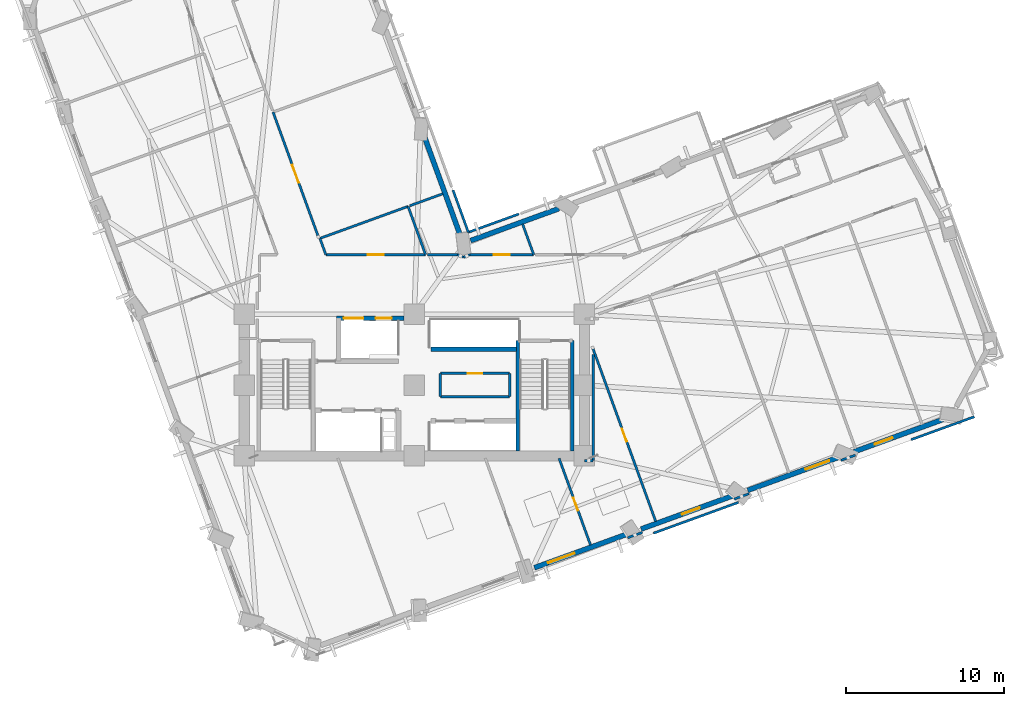
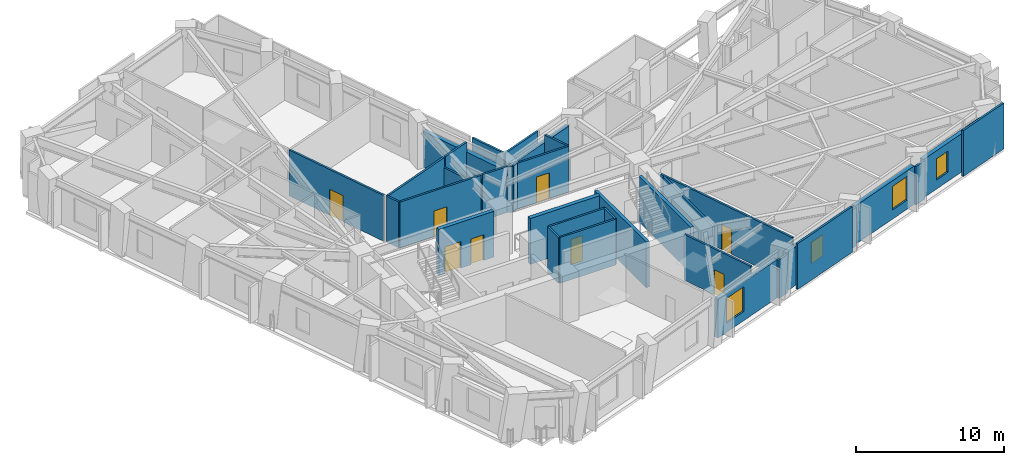
# One storey, part 10 of 17: 36 walls, 8 doors, 4 windows, 12 openings.
"""IFC4 building model written with IfcOpenShell, lengths in metres."""

from ifc_helpers import new_model, si_unit, direction, frame, frame_2d, origin, place, context, subcontext, project, spatial, rectangle, extrude, material, layer, layer_set, type_object, element, fill, save


model = new_model("IFC4")

# Units and contexts
model_context = context("Model", 3, precision=1e-05, world=origin(), true_north=direction((0.0, 1.0)))
body_context = subcontext(model_context, "Body", "Model", "MODEL_VIEW")
ifc_project = project(units=[si_unit("LENGTHUNIT", "METRE"), si_unit("AREAUNIT", "SQUARE_METRE"), si_unit("VOLUMEUNIT", "CUBIC_METRE"), si_unit("PLANEANGLEUNIT", "RADIAN"), si_unit("MASSUNIT", "GRAM", prefix="KILO")], contexts=[model_context])

# Site, building, storey
site_placement = place(None, origin())
site = spatial("IfcSite", under=ifc_project, at=site_placement, CompositionType="ELEMENT")
building_placement = place(site_placement, origin())
building = spatial("IfcBuilding", under=site, at=building_placement, Name="Gaonmaruhae Medical Tower", CompositionType="ELEMENT")
storey_placement = place(building_placement, frame((0.0, 0.0, 108.39990234375)))
storey = spatial("IfcBuildingStorey", under=building, at=storey_placement, Name="L25", CompositionType="ELEMENT", Elevation=108.39990234375)

# Wall, opening, window
ifc_material_1 = material(Name="Precast concrete C45/55", Category="concrete")
ifc_layer_1 = layer(ifc_material_1, 0.320068359375)
ifc_layer_set_1 = layer_set([ifc_layer_1], Name="Precast concrete C45/55")
wall_type_1 = type_object("IfcWallType", Name="EW-320 Lower Precast Masonry-Frame Facade Wall", PredefinedType="SOLIDWALL", material=ifc_layer_set_1)
wall_1_placement = place(storey_placement, frame((38.267333984375, 2.82373046875, 0.0), z_axis=(0.0, 0.0, 1.0), x_axis=(-0.939987127701, -0.341209905713, 0.0)))
wall_1 = element("IfcWall", 1, at=wall_1_placement, inside=storey, type_object=wall_type_1, Name="L25 Precast Masonry-Frame Wall S03-S04", PredefinedType="SOLIDWALL", context=body_context, shape_type="SweptSolid", body=[
    extrude(rectangle(XDim=6.21435546875, YDim=0.320068359375, at=frame_2d((3.107177734375, 0.0))), origin(), (0.0, 0.0, 1.0), 3.1650390625),
])
opening_1_placement = place(wall_1_placement, frame((3.497314453125, 0.0, 0.75)))
opening_1 = element("IfcOpeningElement", 2, at=opening_1_placement, cuts=wall_1, Name="Opening WN-04", PredefinedType="OPENING", context=body_context, shape_type="SweptSolid", body=[
    extrude(rectangle(XDim=1.800048828125, YDim=2.050048828125, at=frame_2d((0.89990234375, 1.02490234375))), frame((0.0, 0.169921875, 0.0), z_axis=(0.0, -1.0, 0.0), x_axis=(1.0, 0.0, 0.0)), (0.0, 0.0, 1.0), 0.340087890625),
])
ifc_material_2 = material(Name="Anodised aluminium and Low-E double glazing", Category="aluminium")
window_type_1 = type_object("IfcWindowType", Name="WN-04 Clinic & Consult Punched Window 1800x2050", PartitioningType="SINGLE_PANEL", PredefinedType="WINDOW", material=ifc_material_2)
window_1_placement = place(opening_1_placement, origin())
window_1 = element("IfcWindow", 3, at=window_1_placement, inside=storey, type_object=window_type_1, Name="L25 Modular Facade Window S03", OverallHeight=2.050048828125, OverallWidth=1.800048828125, PartitioningType="SINGLE_PANEL", PredefinedType="WINDOW", context=body_context, shape_type="SweptSolid", body=[
    extrude(rectangle(XDim=1.800048828125, YDim=2.050048828125, at=frame_2d((0.89990234375, 1.02490234375))), frame((0.0, 0.030029296875, 0.0), z_axis=(0.0, -1.0, 0.0), x_axis=(1.0, 0.0, 0.0)), (0.0, 0.0, 1.0), 0.06005859375),
])
fill(opening_1, window_1)

wall_2_placement = place(storey_placement, frame((45.03564453125, 5.280517578125, 0.0), z_axis=(0.0, 0.0, 1.0), x_axis=(-0.93999646123, -0.341184192006, 0.0)))
wall_2 = element("IfcWall", 4, at=wall_2_placement, inside=storey, type_object=wall_type_1, Name="L25 Precast Masonry-Frame Wall S04-S05", PredefinedType="SOLIDWALL", context=body_context, shape_type="SweptSolid", body=[
    extrude(rectangle(XDim=6.208984375, YDim=0.320068359375, at=frame_2d((3.1044921875, 0.0))), origin(), (0.0, 0.0, 1.0), 3.1650390625),
])
opening_2_placement = place(wall_2_placement, frame((2.244384765625, 0.0, 0.75)))
opening_2 = element("IfcOpeningElement", 5, at=opening_2_placement, cuts=wall_2, Name="Opening WN-05", PredefinedType="OPENING", context=body_context, shape_type="SweptSolid", body=[
    extrude(rectangle(XDim=1.199951171875, YDim=1.75, at=frame_2d((0.60009765625, 0.875))), frame((0.0, 0.169921875, 0.0), z_axis=(0.0, -1.0, 0.0), x_axis=(1.0, 0.0, 0.0)), (0.0, 0.0, 1.0), 0.340087890625),
])
window_type_2 = type_object("IfcWindowType", Name="WN-05 Support & Staff Punched Window 1200x1750", PartitioningType="SINGLE_PANEL", PredefinedType="WINDOW", material=ifc_material_2)
window_2_placement = place(opening_2_placement, origin())
window_2 = element("IfcWindow", 6, at=window_2_placement, inside=storey, type_object=window_type_2, Name="L25 Modular Facade Window S04", OverallHeight=1.75, OverallWidth=1.199951171875, PartitioningType="SINGLE_PANEL", PredefinedType="WINDOW", context=body_context, shape_type="SweptSolid", body=[
    extrude(rectangle(XDim=1.199951171875, YDim=1.75, at=frame_2d((0.60009765625, 0.875))), frame((0.0, 0.030029296875, 0.0), z_axis=(0.0, -1.0, 0.0), x_axis=(1.0, 0.0, 0.0)), (0.0, 0.0, 1.0), 0.06005859375),
])
fill(opening_2, window_2)

wall_3_placement = place(storey_placement, frame((51.810791015625, 7.73974609375, 0.0), z_axis=(0.0, 0.0, 1.0), x_axis=(-0.939992730325, -0.341194470846, 0.0)))
wall_3 = element("IfcWall", 7, at=wall_3_placement, inside=storey, type_object=wall_type_1, Name="L25 Precast Masonry-Frame Wall S05-S06", PredefinedType="SOLIDWALL", context=body_context, shape_type="SweptSolid", body=[
    extrude(rectangle(XDim=6.218017578125, YDim=0.320068359375, at=frame_2d((3.10888671875, 0.0))), origin(), (0.0, 0.0, 1.0), 3.1650390625),
])
opening_3_placement = place(wall_3_placement, frame((0.70849609375, 0.0, 0.75)))
opening_3 = element("IfcOpeningElement", 8, at=opening_3_placement, cuts=wall_3, Name="Opening WN-01", PredefinedType="OPENING", context=body_context, shape_type="SweptSolid", body=[
    extrude(rectangle(XDim=1.60009765625, YDim=1.949951171875, at=frame_2d((0.800048828125, 0.97509765625))), frame((0.0, 0.169921875, 0.0), z_axis=(0.0, -1.0, 0.0), x_axis=(1.0, 0.0, 0.0)), (0.0, 0.0, 1.0), 0.340087890625),
])
window_type_3 = type_object("IfcWindowType", Name="WN-01 Ward Punched Acoustic Window 1600x1950", PartitioningType="SINGLE_PANEL", PredefinedType="WINDOW", material=ifc_material_2)
window_3_placement = place(opening_3_placement, origin())
window_3 = element("IfcWindow", 9, at=window_3_placement, inside=storey, type_object=window_type_3, Name="L25 Modular Facade Window S05", OverallHeight=1.949951171875, OverallWidth=1.60009765625, PartitioningType="SINGLE_PANEL", PredefinedType="WINDOW", context=body_context, shape_type="SweptSolid", body=[
    extrude(rectangle(XDim=1.60009765625, YDim=1.949951171875, at=frame_2d((0.800048828125, 0.97509765625))), frame((0.0, 0.030029296875, 0.0), z_axis=(0.0, -1.0, 0.0), x_axis=(1.0, 0.0, 0.0)), (0.0, 0.0, 1.0), 0.06005859375),
])
fill(opening_3, window_3)

wall_4_placement = place(storey_placement, frame((58.59326171875, 10.20166015625, 0.0), z_axis=(0.0, 0.0, 1.0), x_axis=(-0.939989678863, -0.341202877524, 0.0)))
wall_4 = element("IfcWall", 10, at=wall_4_placement, inside=storey, type_object=wall_type_1, Name="L25 Precast Masonry-Frame Wall S06-S07", PredefinedType="SOLIDWALL", context=body_context, shape_type="SweptSolid", body=[
    extrude(rectangle(XDim=6.2421875, YDim=0.320068359375, at=frame_2d((3.12109375, 0.0))), origin(), (0.0, 0.0, 1.0), 3.1650390625),
])
opening_4_placement = place(wall_4_placement, frame((3.659912109375, 0.0, 0.75)))
opening_4 = element("IfcOpeningElement", 11, at=opening_4_placement, cuts=wall_4, Name="Opening WN-05", PredefinedType="OPENING", context=body_context, shape_type="SweptSolid", body=[
    extrude(rectangle(XDim=1.199951171875, YDim=1.75, at=frame_2d((0.60009765625, 0.875))), frame((0.0, 0.169921875, 0.0), z_axis=(0.0, -1.0, 0.0), x_axis=(1.0, 0.0, 0.0)), (0.0, 0.0, 1.0), 0.340087890625),
])
window_4_placement = place(opening_4_placement, origin())
window_4 = element("IfcWindow", 12, at=window_4_placement, inside=storey, type_object=window_type_2, Name="L25 Modular Facade Window S06", OverallHeight=1.75, OverallWidth=1.199951171875, PartitioningType="SINGLE_PANEL", PredefinedType="WINDOW", context=body_context, shape_type="SweptSolid", body=[
    extrude(rectangle(XDim=1.199951171875, YDim=1.75, at=frame_2d((0.60009765625, 0.875))), frame((0.0, 0.030029296875, 0.0), z_axis=(0.0, -1.0, 0.0), x_axis=(1.0, 0.0, 0.0)), (0.0, 0.0, 1.0), 0.06005859375),
])
fill(opening_4, window_4)

# Walls
wall_5_placement = place(storey_placement, frame((28.37841796875, 21.468505859375, 0.0), z_axis=(0.0, 0.0, 1.0), x_axis=(0.939995386853, 0.341187152007, 0.0)))
element("IfcWall", 13, at=wall_5_placement, inside=storey, type_object=wall_type_1, Name="L25 Precast Masonry-Frame Wall EN03-KN01", PredefinedType="SOLIDWALL", context=body_context, shape_type="SweptSolid", body=[
    extrude(rectangle(XDim=5.9599609375, YDim=0.320068359375, at=frame_2d((2.97998046875, 0.0))), origin(), (0.0, 0.0, 1.0), 3.1650390625),
])
wall_6_placement = place(storey_placement, frame((25.4462890625, 28.06591796875, 0.0), z_axis=(0.0, 0.0, 1.0), x_axis=(0.341209462928, -0.939987288429, 0.0)))
element("IfcWall", 14, at=wall_6_placement, inside=storey, type_object=wall_type_1, Name="L25 Precast Masonry-Frame Wall KN01-NE01", PredefinedType="SOLIDWALL", context=body_context, shape_type="SweptSolid", body=[
    extrude(rectangle(XDim=6.76025390625, YDim=0.320068359375, at=frame_2d((3.380126953125, 0.0))), origin(), (0.0, 0.0, 1.0), 2.965087890625),
])
ifc_material_3 = material(Name="Gypsum board partition", Category="gypsum")
ifc_layer_2 = layer(ifc_material_3, 0.14990234375)
ifc_layer_set_2 = layer_set([ifc_layer_2], Name="Gypsum board partition")
wall_type_2 = type_object("IfcWallType", Name="PW-150 Rated Clinical Corridor Partition", PredefinedType="PARTITIONING", material=ifc_layer_set_2)
wall_7_placement = place(storey_placement, frame((26.449951171875, 11.56005859375, 0.0), z_axis=(0.0, 0.0, 1.0), x_axis=(0.0, 1.0, 0.0)))
element("IfcWall", 15, at=wall_7_placement, inside=storey, type_object=wall_type_2, Name="L25 Interior Partition L25-CS1-1", PredefinedType="PARTITIONING", context=body_context, shape_type="SweptSolid", body=[
    extrude(rectangle(XDim=1.47998046875, YDim=0.14990234375, at=frame_2d((0.739990234375, 0.0))), origin(), (0.0, 0.0, 1.0), 3.780029296875),
])

# Wall, opening, door
wall_8_placement = place(storey_placement, frame((26.449951171875, 13.0400390625, 0.0), z_axis=(0.0, 0.0, 1.0), x_axis=(1.0, 0.0, 0.0)))
wall_8 = element("IfcWall", 16, at=wall_8_placement, inside=storey, type_object=wall_type_2, Name="L25 Interior Partition L25-CS1-2", PredefinedType="PARTITIONING", context=body_context, shape_type="SweptSolid", body=[
    extrude(rectangle(XDim=4.400146484375, YDim=0.14990234375, at=frame_2d((2.2001953125, 0.0))), origin(), (0.0, 0.0, 1.0), 3.780029296875),
])
opening_5_placement = place(wall_8_placement, frame((1.739990234375, 0.0, 0.0)))
opening_5 = element("IfcOpeningElement", 17, at=opening_5_placement, cuts=wall_8, Name="Opening UD-01", PredefinedType="OPENING", context=body_context, shape_type="SweptSolid", body=[
    extrude(rectangle(XDim=0.919921875, YDim=2.10009765625, at=frame_2d((0.4599609375, 1.050048828125))), frame((0.0, 0.0849609375, 0.0), z_axis=(0.0, -1.0, 0.0), x_axis=(1.0, 0.0, 0.0)), (0.0, 0.0, 1.0), 0.169921875),
])
ifc_material_4 = material(Name="Powder-coated steel utility door", Category="steel")
door_type_1 = type_object("IfcDoorType", Name="UD-01 Toilet, Utility & Housekeeping Door 920x2100", OperationType="NOTDEFINED", PredefinedType="DOOR", material=ifc_material_4)
door_1_placement = place(opening_5_placement, origin())
door_1 = element("IfcDoor", 18, at=door_1_placement, inside=storey, type_object=door_type_1, Name="L25 Clean Linen Utility Store Door", OperationType="SINGLE_SWING_LEFT", OverallHeight=2.10009765625, OverallWidth=0.919921875, PredefinedType="DOOR", context=body_context, shape_type="SweptSolid", body=[
    extrude(rectangle(XDim=0.919921875, YDim=2.10009765625, at=frame_2d((0.4599609375, 1.050048828125))), frame((0.0, 0.02490234375, 0.0), z_axis=(0.0, -1.0, 0.0), x_axis=(1.0, 0.0, 0.0)), (0.0, 0.0, 1.0), 0.050048828125),
])
fill(opening_5, door_1)

# Walls
wall_9_placement = place(storey_placement, frame((30.85009765625, 13.0400390625, 0.0), z_axis=(0.0, 0.0, 1.0), x_axis=(0.0, -1.0, 0.0)))
element("IfcWall", 19, at=wall_9_placement, inside=storey, type_object=wall_type_2, Name="L25 Interior Partition L25-CS1-3", PredefinedType="PARTITIONING", context=body_context, shape_type="SweptSolid", body=[
    extrude(rectangle(XDim=1.47998046875, YDim=0.14990234375, at=frame_2d((0.739990234375, 0.0))), origin(), (0.0, 0.0, 1.0), 3.780029296875),
])
wall_10_placement = place(storey_placement, frame((30.85009765625, 11.56005859375, 0.0), z_axis=(0.0, 0.0, 1.0), x_axis=(-1.0, 0.0, 0.0)))
element("IfcWall", 20, at=wall_10_placement, inside=storey, type_object=wall_type_2, Name="L25 Interior Partition L25-CS1-4", PredefinedType="PARTITIONING", context=body_context, shape_type="SweptSolid", body=[
    extrude(rectangle(XDim=4.400146484375, YDim=0.14990234375, at=frame_2d((2.2001953125, 0.0))), origin(), (0.0, 0.0, 1.0), 3.780029296875),
])

# Wall, opening, door
wall_11_placement = place(storey_placement, frame((33.989990234375, 7.64990234375, 0.0), z_axis=(0.0, 0.0, 1.0), x_axis=(0.341261367951, -0.939968445611, 0.0)))
wall_11 = element("IfcWall", 21, at=wall_11_placement, inside=storey, type_object=wall_type_2, Name="L25 Interior Partition L25-SUP05-10", PredefinedType="PARTITIONING", context=body_context, shape_type="SweptSolid", body=[
    extrude(rectangle(XDim=5.860595703125, YDim=0.14990234375, at=frame_2d((2.93017578125, 0.0))), origin(), (0.0, 0.0, 1.0), 3.780029296875),
])
opening_6_placement = place(wall_11_placement, frame((2.659912109375, 0.0, 0.0)))
opening_6 = element("IfcOpeningElement", 22, at=opening_6_placement, cuts=wall_11, Name="Opening AD-01", PredefinedType="OPENING", context=body_context, shape_type="SweptSolid", body=[
    extrude(rectangle(XDim=0.860107421875, YDim=2.06005859375, at=frame_2d((0.43017578125, 1.030029296875))), frame((0.0, 0.0849609375, 0.0), z_axis=(0.0, -1.0, 0.0), x_axis=(1.0, 0.0, 0.0)), (0.0, 0.0, 1.0), 0.169921875),
])
ifc_material_5 = material(Name="Powder-coated steel access door", Category="steel")
door_type_2 = type_object("IfcDoorType", Name="AD-01 Riser & Closet Access Fire Door 860x2060", OperationType="NOTDEFINED", PredefinedType="DOOR", material=ifc_material_5)
door_2_placement = place(opening_6_placement, origin())
door_2 = element("IfcDoor", 23, at=door_2_placement, inside=storey, type_object=door_type_2, Name="L25 Clinical Biomedical Charting Office Sliding Door", OperationType="SLIDING_TO_LEFT", OverallHeight=2.06005859375, OverallWidth=0.860107421875, PredefinedType="DOOR", context=body_context, shape_type="SweptSolid", body=[
    extrude(rectangle(XDim=0.860107421875, YDim=2.06005859375, at=frame_2d((0.43017578125, 1.030029296875))), frame((0.0, 0.02490234375, 0.0), z_axis=(0.0, -1.0, 0.0), x_axis=(1.0, 0.0, 0.0)), (0.0, 0.0, 1.0), 0.050048828125),
])
fill(opening_6, door_2)

wall_12_placement = place(storey_placement, frame((36.14990234375, 14.594970703125, 0.0), z_axis=(0.0, 0.0, 1.0), x_axis=(0.341228228972, -0.939980476261, 0.0)))
wall_12 = element("IfcWall", 24, at=wall_12_placement, inside=storey, type_object=wall_type_2, Name="L25 Interior Partition L25-SUP06-11", PredefinedType="PARTITIONING", context=body_context, shape_type="SweptSolid", body=[
    extrude(rectangle(XDim=11.65234375, YDim=0.14990234375, at=frame_2d((5.826171875, 0.0))), origin(), (0.0, 0.0, 1.0), 3.780029296875),
])
opening_7_placement = place(wall_12_placement, frame((5.396240234375, 0.0, 0.0)))
opening_7 = element("IfcOpeningElement", 25, at=opening_7_placement, cuts=wall_12, Name="Opening AD-01", PredefinedType="OPENING", context=body_context, shape_type="SweptSolid", body=[
    extrude(rectangle(XDim=0.860107421875, YDim=2.06005859375, at=frame_2d((0.43017578125, 1.030029296875))), frame((0.0, 0.0849609375, 0.0), z_axis=(0.0, -1.0, 0.0), x_axis=(1.0, 0.0, 0.0)), (0.0, 0.0, 1.0), 0.169921875),
])
door_3_placement = place(opening_7_placement, origin())
door_3 = element("IfcDoor", 26, at=door_3_placement, inside=storey, type_object=door_type_2, Name="L25 Clinical Biomedical Charting Office Sliding Door", OperationType="SLIDING_TO_LEFT", OverallHeight=2.06005859375, OverallWidth=0.860107421875, PredefinedType="DOOR", context=body_context, shape_type="SweptSolid", body=[
    extrude(rectangle(XDim=0.860107421875, YDim=2.06005859375, at=frame_2d((0.43017578125, 1.030029296875))), frame((0.0, 0.02490234375, 0.0), z_axis=(0.0, -1.0, 0.0), x_axis=(1.0, 0.0, 0.0)), (0.0, 0.0, 1.0), 0.050048828125),
])
fill(opening_7, door_3)

# Walls
wall_13_placement = place(storey_placement, frame((39.278076171875, 2.946044921875, 0.0), z_axis=(0.0, 0.0, 1.0), x_axis=(-0.94005912582, -0.341011495354, 0.0)))
element("IfcWall", 27, at=wall_13_placement, inside=storey, type_object=wall_type_2, Name="L25 Interior Partition L25-SUP06-12", PredefinedType="PARTITIONING", context=body_context, shape_type="SweptSolid", body=[
    extrude(rectangle(XDim=0.991455078125, YDim=0.14990234375, at=frame_2d((0.49560546875, 0.0))), origin(), (0.0, 0.0, 1.0), 3.1650390625),
])
wall_14_placement = place(storey_placement, frame((35.60009765625, 7.5, 0.0), z_axis=(0.0, 0.0, 1.0), x_axis=(1.0, 0.0, 0.0)))
element("IfcWall", 28, at=wall_14_placement, inside=storey, type_object=wall_type_2, Name="L25 Interior Partition L25-SUP06-13", PredefinedType="PARTITIONING", context=body_context, shape_type="SweptSolid", body=[
    extrude(rectangle(XDim=0.5498046875, YDim=0.14990234375, at=frame_2d((0.27490234375, 0.0))), origin(), (0.0, 0.0, 1.0), 2.965087890625),
])
wall_15_placement = place(storey_placement, frame((36.14990234375, 7.5, 0.0), z_axis=(0.0, 0.0, 1.0), x_axis=(0.0, 1.0, 0.0)))
element("IfcWall", 29, at=wall_15_placement, inside=storey, type_object=wall_type_2, Name="L25 Interior Partition L25-SUP06-14", PredefinedType="PARTITIONING", context=body_context, shape_type="SweptSolid", body=[
    extrude(rectangle(XDim=6.72900390625, YDim=0.14990234375, at=frame_2d((3.364501953125, 0.0))), origin(), (0.0, 0.0, 1.0), 3.780029296875),
])
wall_16_placement = place(storey_placement, frame((46.0439453125, 5.402099609375, 0.0), z_axis=(0.0, 0.0, 1.0), x_axis=(-0.939800627122, -0.341723252445, 0.0)))
element("IfcWall", 30, at=wall_16_placement, inside=storey, type_object=wall_type_2, Name="L25 Interior Partition L25-SUP08-21", PredefinedType="PARTITIONING", context=body_context, shape_type="SweptSolid", body=[
    extrude(rectangle(XDim=0.989501953125, YDim=0.14990234375, at=frame_2d((0.49462890625, 0.0))), origin(), (0.0, 0.0, 1.0), 3.1650390625),
])
wall_17_placement = place(storey_placement, frame((52.803955078125, 7.85595703125, 0.0), z_axis=(0.0, 0.0, 1.0), x_axis=(-0.940027533904, -0.341098571534, 0.0)))
element("IfcWall", 31, at=wall_17_placement, inside=storey, type_object=wall_type_2, Name="L25 Interior Partition L25-SUP09-24", PredefinedType="PARTITIONING", context=body_context, shape_type="SweptSolid", body=[
    extrude(rectangle(XDim=0.973388671875, YDim=0.14990234375, at=frame_2d((0.48681640625, 0.0))), origin(), (0.0, 0.0, 1.0), 3.1650390625),
])
wall_18_placement = place(storey_placement, frame((18.81005859375, 21.612060546875, 0.0), z_axis=(0.0, 0.0, 1.0), x_axis=(0.939983691706, 0.341219371266, 0.0)))
element("IfcWall", 32, at=wall_18_placement, inside=storey, type_object=wall_type_2, Name="L25 Interior Partition L25-IE01-60", PredefinedType="PARTITIONING", context=body_context, shape_type="SweptSolid", body=[
    extrude(rectangle(XDim=5.9521484375, YDim=0.14990234375, at=frame_2d((2.97607421875, 0.0))), origin(), (0.0, 0.0, 1.0), 3.780029296875),
])
wall_19_placement = place(storey_placement, frame((24.405029296875, 23.64306640625, 0.0), z_axis=(0.0, 0.0, 1.0), x_axis=(0.341267786903, -0.939966115146, 0.0)))
element("IfcWall", 33, at=wall_19_placement, inside=storey, type_object=wall_type_2, Name="L25 Interior Partition L25-IE01-61", PredefinedType="PARTITIONING", context=body_context, shape_type="SweptSolid", body=[
    extrude(rectangle(XDim=3.258544921875, YDim=0.14990234375, at=frame_2d((1.62939453125, 0.0))), origin(), (0.0, 0.0, 1.0), 2.965087890625),
])

# Wall, opening, door
wall_20_placement = place(storey_placement, frame((25.51708984375, 20.580078125, 0.0), z_axis=(0.0, 0.0, 1.0), x_axis=(-1.0, 0.0, 0.0)))
wall_20 = element("IfcWall", 34, at=wall_20_placement, inside=storey, type_object=wall_type_2, Name="L25 Interior Partition L25-IE01-62", PredefinedType="PARTITIONING", context=body_context, shape_type="SweptSolid", body=[
    extrude(rectangle(XDim=6.33203125, YDim=0.14990234375, at=frame_2d((3.166015625, 0.0))), origin(), (0.0, 0.0, 1.0), 3.780029296875),
])
opening_8_placement = place(wall_20_placement, frame((2.666015625, 0.0, 0.0)))
opening_8 = element("IfcOpeningElement", 35, at=opening_8_placement, cuts=wall_20, Name="Opening CD-01", PredefinedType="OPENING", context=body_context, shape_type="SweptSolid", body=[
    extrude(rectangle(XDim=1.0, YDim=2.1201171875, at=frame_2d((0.5, 1.06005859375))), frame((0.0, 0.0849609375, 0.0), z_axis=(0.0, -1.0, 0.0), x_axis=(1.0, 0.0, 0.0)), (0.0, 0.0, 1.0), 0.169921875),
])
ifc_material_6 = material(Name="Antimicrobial laminate timber fire door", Category="wood")
door_type_3 = type_object("IfcDoorType", Name="CD-01 Consultation & Physician Office Door 1000x2120", OperationType="NOTDEFINED", PredefinedType="DOOR", material=ifc_material_6)
door_4_placement = place(opening_8_placement, origin())
door_4 = element("IfcDoor", 36, at=door_4_placement, inside=storey, type_object=door_type_3, Name="L25 Central Clinical Nurse Station Door", OperationType="SINGLE_SWING_LEFT", OverallHeight=2.1201171875, OverallWidth=1.0, PredefinedType="DOOR", context=body_context, shape_type="SweptSolid", body=[
    extrude(rectangle(XDim=1.0, YDim=2.1201171875, at=frame_2d((0.5, 1.06005859375))), frame((0.0, 0.02490234375, 0.0), z_axis=(0.0, -1.0, 0.0), x_axis=(1.0, 0.0, 0.0)), (0.0, 0.0, 1.0), 0.050048828125),
])
fill(opening_8, door_4)

# Walls
wall_21_placement = place(storey_placement, frame((19.18505859375, 20.580078125, 0.0), z_axis=(0.0, 0.0, 1.0), x_axis=(-0.34152881966, 0.939871302542, 0.0)))
element("IfcWall", 37, at=wall_21_placement, inside=storey, type_object=wall_type_2, Name="L25 Interior Partition L25-IE01-63", PredefinedType="PARTITIONING", context=body_context, shape_type="SweptSolid", body=[
    extrude(rectangle(XDim=1.097900390625, YDim=0.14990234375, at=frame_2d((0.548828125, 0.0))), origin(), (0.0, 0.0, 1.0), 3.780029296875),
])
wall_22_placement = place(storey_placement, frame((28.3330078125, 20.580078125, 0.0), z_axis=(0.0, 0.0, 1.0), x_axis=(-0.924373933535, -0.38148765511, 0.0)))
element("IfcWall", 38, at=wall_22_placement, inside=storey, type_object=wall_type_2, Name="L25 Interior Partition L25-IE02-64", PredefinedType="PARTITIONING", context=body_context, shape_type="SweptSolid", body=[
    extrude(rectangle(XDim=0.4326171875, YDim=0.14990234375, at=frame_2d((0.21630859375, 0.0))), origin(), (0.0, 0.0, 1.0), 3.780029296875),
])
wall_23_placement = place(storey_placement, frame((27.93310546875, 20.4150390625, 0.0), z_axis=(0.0, 0.0, 1.0), x_axis=(-0.92445599798, 0.381288745964, 0.0)))
element("IfcWall", 39, at=wall_23_placement, inside=storey, type_object=wall_type_2, Name="L25 Interior Partition L25-IE02-65", PredefinedType="PARTITIONING", context=body_context, shape_type="SweptSolid", body=[
    extrude(rectangle(XDim=0.432861328125, YDim=0.14990234375, at=frame_2d((0.21630859375, 0.0))), origin(), (0.0, 0.0, 1.0), 3.780029296875),
])
wall_24_placement = place(storey_placement, frame((27.532958984375, 20.580078125, 0.0), z_axis=(0.0, 0.0, 1.0), x_axis=(-1.0, 0.0, 0.0)))
element("IfcWall", 40, at=wall_24_placement, inside=storey, type_object=wall_type_2, Name="L25 Interior Partition L25-IE02-66", PredefinedType="PARTITIONING", context=body_context, shape_type="SweptSolid", body=[
    extrude(rectangle(XDim=1.888916015625, YDim=0.14990234375, at=frame_2d((0.9443359375, 0.0))), origin(), (0.0, 0.0, 1.0), 3.780029296875),
])
wall_25_placement = place(storey_placement, frame((24.51806640625, 23.68408203125, 0.0), z_axis=(0.0, 0.0, 1.0), x_axis=(0.939975253555, 0.341242615604, 0.0)))
element("IfcWall", 41, at=wall_25_placement, inside=storey, type_object=wall_type_2, Name="L25 Interior Partition L25-IE02-67", PredefinedType="PARTITIONING", context=body_context, shape_type="SweptSolid", body=[
    extrude(rectangle(XDim=2.23291015625, YDim=0.14990234375, at=frame_2d((1.116455078125, 0.0))), origin(), (0.0, 0.0, 1.0), 3.780029296875),
])
wall_26_placement = place(storey_placement, frame((27.260986328125, 24.679931640625, 0.0), z_axis=(0.0, 0.0, 1.0), x_axis=(0.341048237996, -0.940045796416, 0.0)))
element("IfcWall", 42, at=wall_26_placement, inside=storey, type_object=wall_type_2, Name="L25 Interior Partition L25-IE02-68", PredefinedType="PARTITIONING", context=body_context, shape_type="SweptSolid", body=[
    extrude(rectangle(XDim=2.849853515625, YDim=0.14990234375, at=frame_2d((1.4248046875, 0.0))), origin(), (0.0, 0.0, 1.0), 3.780029296875),
])
wall_27_placement = place(storey_placement, frame((28.23291015625, 22.0009765625, 0.0), z_axis=(0.0, 0.0, 1.0), x_axis=(0.940060422903, 0.34100791969, 0.0)))
element("IfcWall", 43, at=wall_27_placement, inside=storey, type_object=wall_type_2, Name="L25 Interior Partition L25-IE02-69", PredefinedType="PARTITIONING", context=body_context, shape_type="SweptSolid", body=[
    extrude(rectangle(XDim=3.41357421875, YDim=0.14990234375, at=frame_2d((1.706787109375, 0.0))), origin(), (0.0, 0.0, 1.0), 3.780029296875),
])
wall_28_placement = place(storey_placement, frame((31.675048828125, 22.52197265625, 0.0), z_axis=(0.0, 0.0, 1.0), x_axis=(0.341183161149, -0.939996835393, 0.0)))
element("IfcWall", 44, at=wall_28_placement, inside=storey, type_object=wall_type_2, Name="L25 Interior Partition L25-IE02-70", PredefinedType="PARTITIONING", context=body_context, shape_type="SweptSolid", body=[
    extrude(rectangle(XDim=2.06591796875, YDim=0.14990234375, at=frame_2d((1.032958984375, 0.0))), origin(), (0.0, 0.0, 1.0), 3.780029296875),
])

# Wall, opening, door
wall_29_placement = place(storey_placement, frame((32.3798828125, 20.580078125, 0.0), z_axis=(0.0, 0.0, 1.0), x_axis=(-1.0, 0.0, 0.0)))
wall_29 = element("IfcWall", 45, at=wall_29_placement, inside=storey, type_object=wall_type_2, Name="L25 Interior Partition L25-IE02-71", PredefinedType="PARTITIONING", context=body_context, shape_type="SweptSolid", body=[
    extrude(rectangle(XDim=4.046875, YDim=0.14990234375, at=frame_2d((2.0234375, 0.0))), origin(), (0.0, 0.0, 1.0), 3.780029296875),
])
opening_9_placement = place(wall_29_placement, frame((1.5234375, 0.0, 0.0)))
opening_9 = element("IfcOpeningElement", 46, at=opening_9_placement, cuts=wall_29, Name="Opening CD-01", PredefinedType="OPENING", context=body_context, shape_type="SweptSolid", body=[
    extrude(rectangle(XDim=1.0, YDim=2.1201171875, at=frame_2d((0.5, 1.06005859375))), frame((0.0, 0.0849609375, 0.0), z_axis=(0.0, -1.0, 0.0), x_axis=(1.0, 0.0, 0.0)), (0.0, 0.0, 1.0), 0.169921875),
])
door_5_placement = place(opening_9_placement, origin())
door_5 = element("IfcDoor", 47, at=door_5_placement, inside=storey, type_object=door_type_3, Name="L25 Acute Treatment Examination Room Door", OperationType="SINGLE_SWING_LEFT", OverallHeight=2.1201171875, OverallWidth=1.0, PredefinedType="DOOR", context=body_context, shape_type="SweptSolid", body=[
    extrude(rectangle(XDim=1.0, YDim=2.1201171875, at=frame_2d((0.5, 1.06005859375))), frame((0.0, 0.02490234375, 0.0), z_axis=(0.0, -1.0, 0.0), x_axis=(1.0, 0.0, 0.0)), (0.0, 0.0, 1.0), 0.050048828125),
])
fill(opening_9, door_5)

wall_30_placement = place(storey_placement, frame((18.681884765625, 21.7890625, 0.0), z_axis=(0.0, 0.0, 1.0), x_axis=(-0.341223593307, 0.93998215907, 0.0)))
wall_30 = element("IfcWall", 48, at=wall_30_placement, inside=storey, type_object=wall_type_2, Name="L25 Interior Partition L25-IN01-95", PredefinedType="PARTITIONING", context=body_context, shape_type="SweptSolid", body=[
    extrude(rectangle(XDim=8.34033203125, YDim=0.14990234375, at=frame_2d((4.170166015625, 0.0))), origin(), (0.0, 0.0, 1.0), 3.780029296875),
])
opening_10_placement = place(wall_30_placement, frame((3.5703125, 0.0, 0.0)))
opening_10 = element("IfcOpeningElement", 49, at=opening_10_placement, cuts=wall_30, Name="Opening CD-02", PredefinedType="OPENING", context=body_context, shape_type="SweptSolid", body=[
    extrude(rectangle(XDim=1.199951171875, YDim=2.14990234375, at=frame_2d((0.60009765625, 1.074951171875))), frame((0.0, 0.0849609375, 0.0), z_axis=(0.0, -1.0, 0.0), x_axis=(1.0, 0.0, 0.0)), (0.0, 0.0, 1.0), 0.169921875),
])
door_type_4 = type_object("IfcDoorType", Name="CD-02 Clinical Treatment & Procedure Door 1200x2150", OperationType="NOTDEFINED", PredefinedType="DOOR", material=ifc_material_6)
door_6_placement = place(opening_10_placement, origin())
door_6 = element("IfcDoor", 50, at=door_6_placement, inside=storey, type_object=door_type_4, Name="L25 Physician Consultation Office Door", OperationType="SINGLE_SWING_RIGHT", OverallHeight=2.14990234375, OverallWidth=1.199951171875, PredefinedType="DOOR", context=body_context, shape_type="SweptSolid", body=[
    extrude(rectangle(XDim=1.199951171875, YDim=2.14990234375, at=frame_2d((0.60009765625, 1.074951171875))), frame((0.0, 0.02490234375, 0.0), z_axis=(0.0, -1.0, 0.0), x_axis=(1.0, 0.0, 0.0)), (0.0, 0.0, 1.0), 0.050048828125),
])
fill(opening_10, door_6)

# Walls
wall_31_placement = place(storey_placement, frame((45.383056640625, 4.85302734375, 0.0), z_axis=(0.0, 0.0, 1.0), x_axis=(-0.940026660647, -0.341100978119, 0.0)))
element("IfcWall", 51, at=wall_31_placement, inside=storey, type_object=wall_type_2, Name="L25 Interior Partition L25-RM02-109", PredefinedType="PARTITIONING", context=body_context, shape_type="SweptSolid", body=[
    extrude(rectangle(XDim=5.740234375, YDim=0.14990234375, at=frame_2d((2.8701171875, 0.0))), origin(), (0.0, 0.0, 1.0), 3.780029296875),
])
wall_32_placement = place(storey_placement, frame((60.35693359375, 10.2890625, 0.0), z_axis=(0.0, 0.0, 1.0), x_axis=(-0.939986910804, -0.341210503234, 0.0)))
element("IfcWall", 52, at=wall_32_placement, inside=storey, type_object=wall_type_2, Name="L25 Interior Partition L25-RM03-110", PredefinedType="PARTITIONING", context=body_context, shape_type="SweptSolid", body=[
    extrude(rectangle(XDim=4.270263671875, YDim=0.14990234375, at=frame_2d((2.13525390625, 0.0))), origin(), (0.0, 0.0, 1.0), 3.780029296875),
])
ifc_material_7 = material(Name="Concrete C50/60", Category="concrete")
ifc_layer_3 = layer(ifc_material_7, 0.239990234375)
ifc_layer_set_3 = layer_set([ifc_layer_3], Name="Concrete C50/60")
wall_type_3 = type_object("IfcWallType", Name="SW-240 Dogleg Stair Tight Shaft Wall", PredefinedType="SOLIDWALL", material=ifc_layer_set_3)
for number, where, z_axis, x_axis, name in (
    (53, (34.830078125, 15.1201171875, 0.0), (0.0, 0.0, 1.0), (0.0, -1.0, 0.0), "L25 ST-02 Stair Shaft Wall SHW-ST-02-E"),
    (54, (31.3701171875, 8.125, 0.0), (0.0, 0.0, 1.0), (0.0, 1.0, 0.0), "L25 ST-02 Stair Shaft Wall SHW-ST-02-W"),
):
    element("IfcWall", number, at=place(storey_placement, frame(where, z_axis=z_axis, x_axis=x_axis)), inside=storey, type_object=wall_type_3, Name=name, PredefinedType="SOLIDWALL", context=body_context, shape_type="SweptSolid", body=[
        extrude(rectangle(XDim=6.9951171875, YDim=0.239990234375, at=frame_2d((3.49755859375, 0.0))), origin(), (0.0, 0.0, 1.0), 3.780029296875),
    ])

# Wall, openings, doors
ifc_layer_4 = layer(ifc_material_7, 0.300048828125)
ifc_layer_set_4 = layer_set([ifc_layer_4], Name="Concrete C50/60")
wall_type_4 = type_object("IfcWallType", Name="SW-300 Stair & Lift Hoistway Shaft Wall", PredefinedType="SOLIDWALL", material=ifc_layer_set_4)
wall_33_placement = place(storey_placement, frame((19.85009765625, 16.550048828125, 0.0), z_axis=(0.0, 0.0, 1.0), x_axis=(1.0, 0.0, 0.0)))
wall_33 = element("IfcWall", 55, at=wall_33_placement, inside=storey, type_object=wall_type_4, Name="L25 Core Shear Wall CSW-NB", PredefinedType="SOLIDWALL", context=body_context, shape_type="SweptSolid", body=[
    extrude(rectangle(XDim=4.2998046875, YDim=0.300048828125, at=frame_2d((2.14990234375, 0.0))), origin(), (0.0, 0.0, 1.0), 3.780029296875),
])
opening_11_placement = place(wall_33_placement, frame((0.47509765625, 0.0, 0.0)))
opening_11 = element("IfcOpeningElement", 56, at=opening_11_placement, cuts=wall_33, Name="Opening LD-F1", PredefinedType="OPENING", context=body_context, shape_type="SweptSolid", body=[
    extrude(rectangle(XDim=1.25, YDim=2.179931640625, at=frame_2d((0.625, 1.08984375))), frame((0.0, 0.16015625, 0.0), z_axis=(0.0, -1.0, 0.0), x_axis=(1.0, 0.0, 0.0)), (0.0, 0.0, 1.0), 0.320068359375),
])
opening_12_placement = place(wall_33_placement, frame((2.489990234375, 0.0, 0.0)))
opening_12 = element("IfcOpeningElement", 57, at=opening_12_placement, cuts=wall_33, Name="Opening LD-S1", PredefinedType="OPENING", context=body_context, shape_type="SweptSolid", body=[
    extrude(rectangle(XDim=1.02001953125, YDim=2.1201171875, at=frame_2d((0.510009765625, 1.06005859375))), frame((0.0, 0.16015625, 0.0), z_axis=(0.0, -1.0, 0.0), x_axis=(1.0, 0.0, 0.0)), (0.0, 0.0, 1.0), 0.320068359375),
])
ifc_material_8 = material(Name="Brushed stainless steel 316L landing door", Category="steel")
door_type_5 = type_object("IfcDoorType", Name="LD-F1 Firefighting & Bed Lift Sliding Landing Door 1250x2180", OperationType="NOTDEFINED", PredefinedType="DOOR", material=ifc_material_8)
door_7_placement = place(opening_11_placement, origin())
door_7 = element("IfcDoor", 58, at=door_7_placement, inside=storey, type_object=door_type_5, Name="L25 Service/Bed Lift Landing Door BDL-01", OperationType="DOUBLE_DOOR_SLIDING", OverallHeight=2.179931640625, OverallWidth=1.25, PredefinedType="DOOR", context=body_context, shape_type="SweptSolid", body=[
    extrude(rectangle(XDim=1.25, YDim=2.179931640625, at=frame_2d((0.625, 1.08984375))), frame((0.0, 0.02490234375, 0.0), z_axis=(0.0, -1.0, 0.0), x_axis=(1.0, 0.0, 0.0)), (0.0, 0.0, 1.0), 0.050048828125),
])
fill(opening_11, door_7)
ifc_material_9 = material(Name="Brushed stainless steel 304 landing door", Category="steel")
door_type_6 = type_object("IfcDoorType", Name="LD-S1 Service Lift Sliding Landing Door 1020x2120", OperationType="NOTDEFINED", PredefinedType="DOOR", material=ifc_material_9)
door_8_placement = place(opening_12_placement, origin())
door_8 = element("IfcDoor", 59, at=door_8_placement, inside=storey, type_object=door_type_6, Name="L25 Service/Bed Lift Landing Door SVL-01", OperationType="SLIDING_TO_LEFT", OverallHeight=2.1201171875, OverallWidth=1.02001953125, PredefinedType="DOOR", context=body_context, shape_type="SweptSolid", body=[
    extrude(rectangle(XDim=1.02001953125, YDim=2.1201171875, at=frame_2d((0.510009765625, 1.06005859375))), frame((0.0, 0.02490234375, 0.0), z_axis=(0.0, -1.0, 0.0), x_axis=(1.0, 0.0, 0.0)), (0.0, 0.0, 1.0), 0.050048828125),
])
fill(opening_12, door_8)

# Wall
wall_34_placement = place(storey_placement, frame((25.85009765625, 14.580078125, 0.0), z_axis=(0.0, 0.0, 1.0), x_axis=(1.0, 0.0, 0.0)))
element("IfcWall", 60, at=wall_34_placement, inside=storey, type_object=wall_type_4, Name="L25 Shaft Enclosure Wall SHW-PLN", PredefinedType="SOLIDWALL", context=body_context, shape_type="SweptSolid", body=[
    extrude(rectangle(XDim=5.449951171875, YDim=0.300048828125, at=frame_2d((2.72509765625, 0.0))), origin(), (0.0, 0.0, 1.0), 3.780029296875),
])

save(model, "model.ifc")
